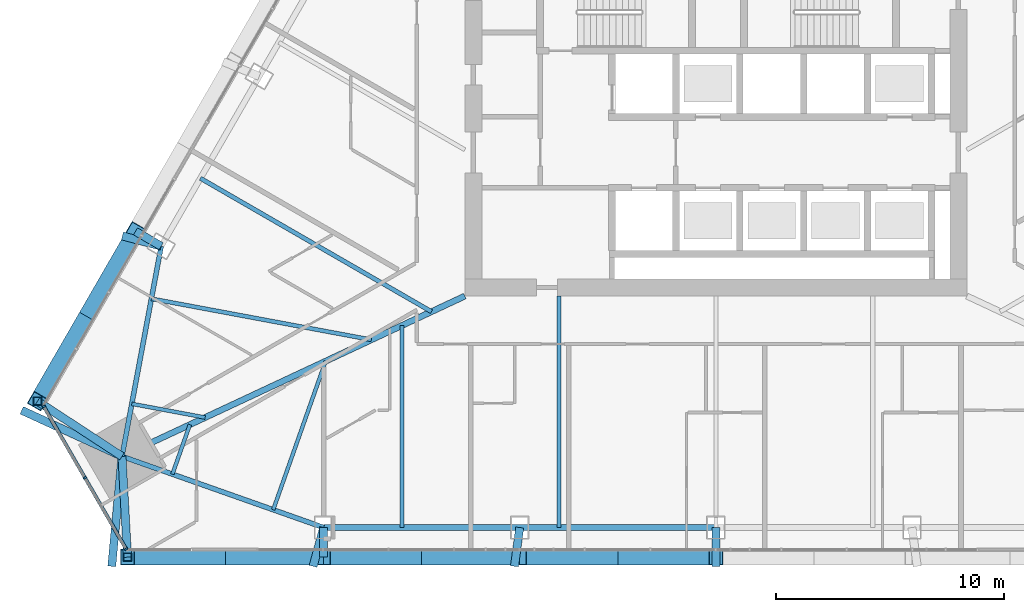
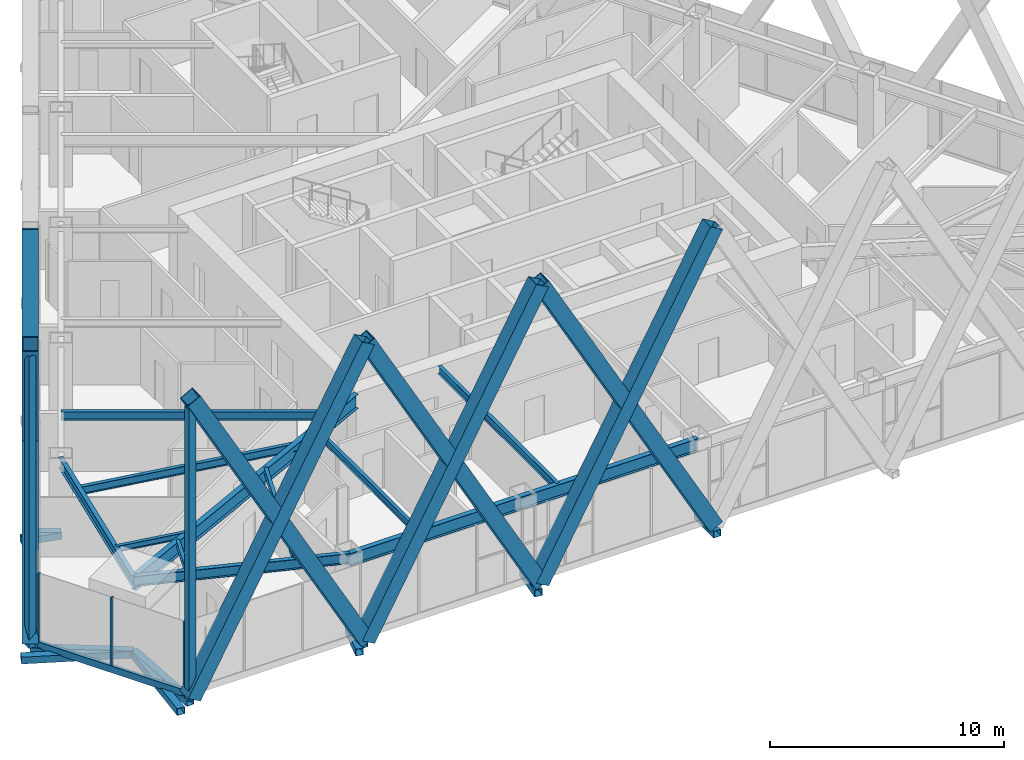
# One storey, part 2 of 23: 24 members, 11 beams, 1 element without a shape of its own.
"""IFC4 building model written with IfcOpenShell, lengths in metres."""

from ifc_helpers import new_model, si_unit, direction, frame, origin, origin_2d, place, context, subcontext, project, spatial, rectangle, hollow_rectangle, i_section, extrude, material, layer, layer_set, material_profile, profile_set, type_object, element, aggregate, save


model = new_model("IFC4")

# Units and contexts
model_context = context("Model", 3, precision=1e-05, world=origin(), true_north=direction((0.0, 1.0)))
body_context = subcontext(model_context, "Body", "Model", "MODEL_VIEW")
ifc_project = project(units=[si_unit("LENGTHUNIT", "METRE"), si_unit("AREAUNIT", "SQUARE_METRE"), si_unit("VOLUMEUNIT", "CUBIC_METRE"), si_unit("PLANEANGLEUNIT", "RADIAN"), si_unit("MASSUNIT", "GRAM", prefix="KILO")], contexts=[model_context])

# Site, building, storey
site_placement = place(None, origin())
site = spatial("IfcSite", under=ifc_project, at=site_placement, CompositionType="ELEMENT")
building_placement = place(site_placement, origin())
building = spatial("IfcBuilding", under=site, at=building_placement, Name="Firuza Gate Tower and Library", CompositionType="ELEMENT")
storey_placement = place(building_placement, frame((0.0, 0.0, 202.60009765625)))
storey = spatial("IfcBuildingStorey", under=building, at=storey_placement, Name="L47", CompositionType="ELEMENT", Elevation=202.60009765625)

# Members
ifc_material_1 = material(Name="Steel S355", Category="steel")
ifc_material_profile_1 = material_profile(ifc_material_1, hollow_rectangle(XDim=0.699951171875, YDim=0.699951171875, WallThickness=0.030029296875, at=origin_2d()))
ifc_profile_set_1 = profile_set([ifc_material_profile_1], Name="Steel S355")
member_type_1 = type_object("IfcMemberType", Name="BU700x700x30 Lattice brace", PredefinedType="BRACE", material=ifc_profile_set_1)
for number, where, z_axis, x_axis, name in (
    (1, (49.21875, 55.558349609375, 0.0), (0.482514835768, 0.0, 0.875887797189), (0.0, 1.0, 0.0), "Lattice brace S 11.1R"),
    (2, (57.8125, 55.558349609375, 0.0), (-0.482514835768, 0.0, 0.875887797189), (0.0, -1.0, 0.0), "Lattice brace S 11.1L"),
    (3, (57.8125, 55.558349609375, 0.0), (0.482514835768, 0.0, 0.875887797189), (0.0, 1.0, 0.0), "Lattice brace S 11.2R"),
    (4, (66.40625, 55.558349609375, 0.0), (-0.482514835768, 0.0, 0.875887797189), (0.0, -1.0, 0.0), "Lattice brace S 11.2L"),
    (5, (66.40625, 55.558349609375, 0.0), (0.482514835768, 0.0, 0.875887797189), (0.0, 1.0, 0.0), "Lattice brace S 11.3R"),
    (6, (75.0, 55.558349609375, 0.0), (-0.482514835768, 0.0, 0.875887797189), (0.0, -1.0, 0.0), "Lattice brace S 11.3L"),
):
    element("IfcMember", number, at=place(storey_placement, frame(where, z_axis=z_axis, x_axis=x_axis)), inside=storey, type_object=member_type_1, Name=name, PredefinedType="BRACE", context=body_context, shape_type="SweptSolid", body=[
        extrude(hollow_rectangle(XDim=0.699951171875, YDim=0.699951171875, WallThickness=0.030029296875, at=origin_2d()), origin(), (0.0, 0.0, 1.0), 17.810302734375),
    ])
for number, where, z_axis, x_axis, name in (
    (7, (49.5693359375, 69.836181640625, 0.0), (-0.24125616613, -0.417880353663, 0.875883252681), (0.866031836714, -0.499988857673, 0.0), "Lattice brace W 11.6R"),
    (8, (45.2724609375, 62.3935546875, 0.0), (0.24125616613, 0.417880353663, 0.875883252681), (-0.866031836714, 0.499988857673, 0.0), "Lattice brace W 11.6L"),
):
    element("IfcMember", number, at=place(storey_placement, frame(where, z_axis=z_axis, x_axis=x_axis)), inside=storey, type_object=member_type_1, Name=name, PredefinedType="BRACE", context=body_context, shape_type="SweptSolid", body=[
        extrude(hollow_rectangle(XDim=0.699951171875, YDim=0.699951171875, WallThickness=0.030029296875, at=origin_2d()), origin(), (0.0, 0.0, 1.0), 17.810546875),
    ])

# Curtain wall, members
ifc_material_2 = material(Name="Aluminium 6063-T6", Category="aluminium")
ifc_layer = layer(ifc_material_2, 0.14990234375)
ifc_layer_set = layer_set([ifc_layer], Name="Corner curtain wall, chamfers")
curtain_wall_type = type_object("IfcCurtainWallType", Name="Corner curtain wall, chamfers", PredefinedType="NOTDEFINED", material=ifc_layer_set)
curtain_wall_placement = place(storey_placement, origin())
curtain_wall = element("IfcCurtainWall", 9, at=curtain_wall_placement, inside=storey, type_object=curtain_wall_type, Name="CW4 L47 SW corner", PredefinedType="NOTDEFINED")
ifc_material_3 = material(Name="Aluminium 6063-T6", Category="aluminium")
ifc_material_profile_2 = material_profile(ifc_material_3, rectangle(XDim=0.14990234375, YDim=0.080078125, at=origin_2d()))
ifc_profile_set_2 = profile_set([ifc_material_profile_2], Name="Aluminium 6063-T6")
member_type_2 = type_object("IfcMemberType", Name="Curtain wall mullion 80x150", PredefinedType="MULLION", material=ifc_profile_set_2)
member_1_placement = place(storey_placement, frame((45.55224609375, 62.158935546875, 0.14990234375), z_axis=(0.0, 0.0, 1.0), x_axis=(0.866025403784, 0.5, 0.0)))
member_1 = element("IfcMember", 10, at=member_1_placement, type_object=member_type_2, Name="Mullion", PredefinedType="MULLION", context=body_context, shape_type="SweptSolid", body=[
    extrude(rectangle(XDim=0.14990234375, YDim=0.080078125, at=origin_2d()), origin(), (0.0, 0.0, 1.0), 3.550048828125),
])
member_2_placement = place(storey_placement, frame((47.353759765625, 59.03857421875, 0.14990234375), z_axis=(0.0, 0.0, 1.0), x_axis=(0.866025403784, 0.5, 0.0)))
member_2 = element("IfcMember", 11, at=member_2_placement, type_object=member_type_2, Name="Mullion", PredefinedType="MULLION", context=body_context, shape_type="SweptSolid", body=[
    extrude(rectangle(XDim=0.14990234375, YDim=0.080078125, at=origin_2d()), origin(), (0.0, 0.0, 1.0), 3.550048828125),
])
member_3_placement = place(storey_placement, frame((49.155517578125, 55.91796875, 0.14990234375), z_axis=(0.0, 0.0, 1.0), x_axis=(0.866025403784, 0.5, 0.0)))
member_3 = element("IfcMember", 12, at=member_3_placement, type_object=member_type_2, Name="Mullion", PredefinedType="MULLION", context=body_context, shape_type="SweptSolid", body=[
    extrude(rectangle(XDim=0.14990234375, YDim=0.080078125, at=origin_2d()), origin(), (0.0, 0.0, 1.0), 3.550048828125),
])
ifc_material_4 = material(Name="Aluminium 6063-T6", Category="aluminium")
ifc_material_profile_3 = material_profile(ifc_material_4, rectangle(XDim=0.14990234375, YDim=0.35009765625, at=origin_2d()))
ifc_profile_set_3 = profile_set([ifc_material_profile_3], Name="Aluminium 6063-T6")
member_type_3 = type_object("IfcMemberType", Name="Curtain wall transom 350x150", PredefinedType="USERDEFINED", material=ifc_profile_set_3)
member_4_placement = place(storey_placement, frame((45.5322265625, 62.193603515625, -0.025146484375), z_axis=(0.500005719219, -0.866022101766, 0.0), x_axis=(0.866022101766, 0.500005719219, 0.0)))
member_4 = element("IfcMember", 13, at=member_4_placement, type_object=member_type_3, Name="Transom", ObjectType="TRANSOM", PredefinedType="USERDEFINED", context=body_context, shape_type="SweptSolid", body=[
    extrude(rectangle(XDim=0.14990234375, YDim=0.35009765625, at=origin_2d()), origin(), (0.0, 0.0, 1.0), 7.28662109375),
])
aggregate(curtain_wall, [member_1, member_2, member_3, member_4])

# Members
ifc_material_5 = material(Name="Steel S355", Category="steel")
ifc_material_profile_4 = material_profile(ifc_material_5, hollow_rectangle(XDim=0.355712890625, YDim=0.355712890625, WallThickness=0.014892578125, at=origin_2d()))
ifc_profile_set_4 = profile_set([ifc_material_profile_4], Name="Steel S355")
member_type_4 = type_object("IfcMemberType", Name="HSS356x356x16 Lattice corner stile", PredefinedType="BRACE", material=ifc_profile_set_4)
for number, where, z_axis, x_axis, name in (
    (14, (49.21875, 55.558349609375, -0.14013671875), (0.0, 0.0, 1.0), (1.0, 0.0, 0.0), "Lattice corner stile S 11.A"),
    (15, (45.2724609375, 62.3935546875, -0.14013671875), (0.0, 0.0, 1.0), (1.0, 0.0, 0.0), "Lattice corner stile W 11.B"),
):
    element("IfcMember", number, at=place(storey_placement, frame(where, z_axis=z_axis, x_axis=x_axis)), inside=storey, type_object=member_type_4, Name=name, PredefinedType="BRACE", context=body_context, shape_type="SweptSolid", body=[
        extrude(hollow_rectangle(XDim=0.355712890625, YDim=0.355712890625, WallThickness=0.014892578125, at=origin_2d()), origin(), (0.0, 0.0, 1.0), 15.239990234375),
    ])
ifc_material_6 = material(Name="Steel S355", Category="steel")
ifc_material_profile_5 = material_profile(ifc_material_6, hollow_rectangle(XDim=0.355712890625, YDim=0.355712890625, WallThickness=0.014892578125, at=origin_2d()))
ifc_profile_set_5 = profile_set([ifc_material_profile_5], Name="Steel S355")
member_type_5 = type_object("IfcMemberType", Name="HSS356x356x16 Lattice node tie", PredefinedType="BRACE", material=ifc_profile_set_5)
member_5_placement = place(storey_placement, frame((48.9775390625, 59.97607421875, -0.320068359375), z_axis=(-0.092865407282, -0.995678671124, 0.0), x_axis=(0.995678671124, -0.092865407282, 0.0)))
element("IfcMember", 16, at=member_5_placement, inside=storey, type_object=member_type_5, Name="Lattice node tie S L47 240", PredefinedType="BRACE", context=body_context, shape_type="SweptSolid", body=[
    extrude(hollow_rectangle(XDim=0.355712890625, YDim=0.355712890625, WallThickness=0.014892578125, at=origin_2d()), origin(), (0.0, 0.0, 1.0), 4.83740234375),
])
member_6_placement = place(storey_placement, frame((48.9775390625, 59.97607421875, -0.320068359375), z_axis=(0.054519511079, -0.998512705433, 0.0), x_axis=(0.998512705433, 0.054519511079, 0.0)))
element("IfcMember", 17, at=member_6_placement, inside=storey, type_object=member_type_5, Name="Lattice node tie S L47 241", PredefinedType="BRACE", context=body_context, shape_type="SweptSolid", body=[
    extrude(hollow_rectangle(XDim=0.355712890625, YDim=0.355712890625, WallThickness=0.014892578125, at=origin_2d()), origin(), (0.0, 0.0, 1.0), 4.42431640625),
])
member_7_placement = place(storey_placement, frame((57.8125, 56.8583984375, -0.320068359375), z_axis=(-0.261485479659, -0.965207409797, 0.0), x_axis=(0.965207409797, -0.261485479659, 0.0)))
element("IfcMember", 18, at=member_7_placement, inside=storey, type_object=member_type_5, Name="Lattice node tie S L47 242", PredefinedType="BRACE", context=body_context, shape_type="SweptSolid", body=[
    extrude(hollow_rectangle(XDim=0.355712890625, YDim=0.355712890625, WallThickness=0.014892578125, at=origin_2d()), origin(), (0.0, 0.0, 1.0), 1.760009765625),
])
member_8_placement = place(storey_placement, frame((57.8125, 56.8583984375, -0.320068359375), z_axis=(0.0, -1.0, 0.0), x_axis=(1.0, 0.0, 0.0)))
element("IfcMember", 19, at=member_8_placement, inside=storey, type_object=member_type_5, Name="Lattice node tie S L47 243", PredefinedType="BRACE", context=body_context, shape_type="SweptSolid", body=[
    extrude(hollow_rectangle(XDim=0.355712890625, YDim=0.355712890625, WallThickness=0.014892578125, at=origin_2d()), origin(), (0.0, 0.0, 1.0), 1.300048828125),
])
member_9_placement = place(storey_placement, frame((66.40625, 56.8583984375, -0.320068359375), z_axis=(-0.134299675223, -0.990940763737, 0.0), x_axis=(0.990940763737, -0.134299675223, 0.0)))
element("IfcMember", 20, at=member_9_placement, inside=storey, type_object=member_type_5, Name="Lattice node tie S L47 244", PredefinedType="BRACE", context=body_context, shape_type="SweptSolid", body=[
    extrude(hollow_rectangle(XDim=0.355712890625, YDim=0.355712890625, WallThickness=0.014892578125, at=origin_2d()), origin(), (0.0, 0.0, 1.0), 1.71435546875),
])
member_10_placement = place(storey_placement, frame((75.0, 56.8583984375, -0.320068359375), z_axis=(0.0, -1.0, 0.0), x_axis=(1.0, 0.0, 0.0)))
element("IfcMember", 21, at=member_10_placement, inside=storey, type_object=member_type_5, Name="Lattice node tie S L47 245", PredefinedType="BRACE", context=body_context, shape_type="SweptSolid", body=[
    extrude(hollow_rectangle(XDim=0.355712890625, YDim=0.355712890625, WallThickness=0.014892578125, at=origin_2d()), origin(), (0.0, 0.0, 1.0), 1.69873046875),
])
member_11_placement = place(storey_placement, frame((48.9775390625, 59.97607421875, -0.320068359375), z_axis=(-0.908717205998, 0.417412313575, 0.0), x_axis=(-0.417412313575, -0.908717205998, 0.0)))
element("IfcMember", 22, at=member_11_placement, inside=storey, type_object=member_type_5, Name="Lattice node tie W L47 251", PredefinedType="BRACE", context=body_context, shape_type="SweptSolid", body=[
    extrude(hollow_rectangle(XDim=0.355712890625, YDim=0.355712890625, WallThickness=0.014892578125, at=origin_2d()), origin(), (0.0, 0.0, 1.0), 4.837158203125),
])
member_12_placement = place(storey_placement, frame((48.9775390625, 59.97607421875, -0.320068359375), z_axis=(-0.837494205357, 0.546446205947, 0.0), x_axis=(-0.546446205947, -0.837494205357, 0.0)))
element("IfcMember", 23, at=member_12_placement, inside=storey, type_object=member_type_5, Name="Lattice node tie W L47 252", PredefinedType="BRACE", context=body_context, shape_type="SweptSolid", body=[
    extrude(hollow_rectangle(XDim=0.355712890625, YDim=0.355712890625, WallThickness=0.014892578125, at=origin_2d()), origin(), (0.0, 0.0, 1.0), 4.424072265625),
])
member_13_placement = place(storey_placement, frame((50.695068359375, 69.18603515625, -0.320068359375), z_axis=(-0.96665272213, 0.256090833102, 0.0), x_axis=(-0.256090833102, -0.96665272213, 0.0)))
element("IfcMember", 24, at=member_13_placement, inside=storey, type_object=member_type_5, Name="Lattice node tie W L47 253", PredefinedType="BRACE", context=body_context, shape_type="SweptSolid", body=[
    extrude(hollow_rectangle(XDim=0.355712890625, YDim=0.355712890625, WallThickness=0.014892578125, at=origin_2d()), origin(), (0.0, 0.0, 1.0), 1.759765625),
])
member_14_placement = place(storey_placement, frame((50.695068359375, 69.18603515625, -0.320068359375), z_axis=(-0.86595725628, 0.500118016368, 0.0), x_axis=(-0.500118016368, -0.86595725628, 0.0)))
element("IfcMember", 25, at=member_14_placement, inside=storey, type_object=member_type_5, Name="Lattice node tie W L47 254", PredefinedType="BRACE", context=body_context, shape_type="SweptSolid", body=[
    extrude(hollow_rectangle(XDim=0.355712890625, YDim=0.355712890625, WallThickness=0.014892578125, at=origin_2d()), origin(), (0.0, 0.0, 1.0), 1.300048828125),
])

# Beams
ifc_material_7 = material(Name="Steel S355", Category="steel")
ifc_material_profile_6 = material_profile(ifc_material_7, i_section(OverallWidth=0.1650390625, OverallDepth=0.31005859375, WebThickness=0.005859375, FlangeThickness=0.009765625, at=origin_2d()))
ifc_profile_set_6 = profile_set([ifc_material_profile_6], Name="Steel S355")
beam_type_1 = type_object("IfcBeamType", Name="W310x39 Floor beam", PredefinedType="JOIST", material=ifc_profile_set_6)
beam_1_placement = place(storey_placement, frame((49.406982421875, 62.278564453125, 3.544921875), z_axis=(0.98304592643, -0.183359500789, 0.0), x_axis=(0.183359500789, 0.98304592643, 0.0)))
element("IfcBeam", 26, at=beam_1_placement, inside=storey, type_object=beam_type_1, Name="Floor beam L47 s01", PredefinedType="JOIST", context=body_context, shape_type="SweptSolid", body=[
    extrude(i_section(OverallWidth=0.1650390625, OverallDepth=0.31005859375, WebThickness=0.005859375, FlangeThickness=0.009765625, at=origin_2d()), origin(), (0.0, 0.0, 1.0), 3.268798828125),
])
beam_2_placement = place(storey_placement, frame((51.186279296875, 59.196533203125, 3.544921875), z_axis=(0.332792371973, 0.943000125746, 0.0), x_axis=(-0.943000125746, 0.332792371973, 0.0)))
element("IfcBeam", 27, at=beam_2_placement, inside=storey, type_object=beam_type_1, Name="Floor beam L47 s10", PredefinedType="JOIST", context=body_context, shape_type="SweptSolid", body=[
    extrude(i_section(OverallWidth=0.1650390625, OverallDepth=0.31005859375, WebThickness=0.005859375, FlangeThickness=0.009765625, at=origin_2d()), origin(), (0.0, 0.0, 1.0), 2.30126953125),
])
beam_3_placement = place(storey_placement, frame((55.603759765625, 57.6376953125, 3.544921875), z_axis=(0.332781274882, 0.943004041925, 0.0), x_axis=(-0.943004041925, 0.332781274882, 0.0)))
element("IfcBeam", 28, at=beam_3_placement, inside=storey, type_object=beam_type_1, Name="Floor beam L47 s11", PredefinedType="JOIST", context=body_context, shape_type="SweptSolid", body=[
    extrude(i_section(OverallWidth=0.1650390625, OverallDepth=0.31005859375, WebThickness=0.005859375, FlangeThickness=0.009765625, at=origin_2d()), origin(), (0.0, 0.0, 1.0), 6.904296875),
])
ifc_material_8 = material(Name="Steel S355", Category="steel")
ifc_material_profile_7 = material_profile(ifc_material_8, i_section(OverallWidth=0.1708984375, OverallDepth=0.35498046875, WebThickness=0.007080078125, FlangeThickness=0.01171875, at=origin_2d()))
ifc_profile_set_7 = profile_set([ifc_material_profile_7], Name="Steel S355")
beam_type_2 = type_object("IfcBeamType", Name="W360x51 Floor beam", PredefinedType="JOIST", material=ifc_profile_set_7)
beam_4_placement = place(storey_placement, frame((61.25, 56.8583984375, 3.5224609375), z_axis=(0.0, 1.0, 0.0), x_axis=(-1.0, 0.0, 0.0)))
element("IfcBeam", 29, at=beam_4_placement, inside=storey, type_object=beam_type_2, Name="Floor beam L47 s20", PredefinedType="JOIST", context=body_context, shape_type="SweptSolid", body=[
    extrude(i_section(OverallWidth=0.1708984375, OverallDepth=0.35498046875, WebThickness=0.007080078125, FlangeThickness=0.01171875, at=origin_2d()), origin(), (0.0, 0.0, 1.0), 8.855712890625),
])
ifc_material_9 = material(Name="Steel S355", Category="steel")
ifc_material_profile_8 = material_profile(ifc_material_9, i_section(OverallWidth=0.177978515625, OverallDepth=0.406982421875, WebThickness=0.0078125, FlangeThickness=0.0126953125, at=origin_2d()))
ifc_profile_set_8 = profile_set([ifc_material_profile_8], Name="Steel S355")
beam_type_3 = type_object("IfcBeamType", Name="W410x60 Floor beam", PredefinedType="JOIST", material=ifc_profile_set_8)
beam_5_placement = place(storey_placement, frame((50.265625, 66.883544921875, 3.496337890625), z_axis=(0.983056573465, -0.183302409604, 0.0), x_axis=(0.183302409604, 0.983056573465, 0.0)))
element("IfcBeam", 30, at=beam_5_placement, inside=storey, type_object=beam_type_3, Name="Floor beam L47 s00", PredefinedType="JOIST", context=body_context, shape_type="SweptSolid", body=[
    extrude(i_section(OverallWidth=0.177978515625, OverallDepth=0.406982421875, WebThickness=0.0078125, FlangeThickness=0.0126953125, at=origin_2d()), origin(), (0.0, 0.0, 1.0), 9.806884765625),
])
beam_6_placement = place(storey_placement, frame((68.125, 56.8583984375, 3.496337890625), z_axis=(0.0, 1.0, 0.0), x_axis=(-1.0, 0.0, 0.0)))
element("IfcBeam", 31, at=beam_6_placement, inside=storey, type_object=beam_type_3, Name="Floor beam L47 s21", PredefinedType="JOIST", context=body_context, shape_type="SweptSolid", body=[
    extrude(i_section(OverallWidth=0.177978515625, OverallDepth=0.406982421875, WebThickness=0.0078125, FlangeThickness=0.0126953125, at=origin_2d()), origin(), (0.0, 0.0, 1.0), 10.1416015625),
])
ifc_material_10 = material(Name="Steel S355", Category="steel")
ifc_material_profile_9 = material_profile(ifc_material_10, i_section(OverallWidth=0.18994140625, OverallDepth=0.45703125, WebThickness=0.009033203125, FlangeThickness=0.014404296875, at=origin_2d()))
ifc_profile_set_9 = profile_set([ifc_material_profile_9], Name="Steel S355")
beam_type_4 = type_object("IfcBeamType", Name="W460x74 Floor beam", PredefinedType="JOIST", material=ifc_profile_set_9)
beam_7_placement = place(storey_placement, frame((52.413818359375, 72.1630859375, 3.471435546875), z_axis=(0.866025630412, -0.49999960747, 0.0), x_axis=(0.49999960747, 0.866025630412, 0.0)))
element("IfcBeam", 32, at=beam_7_placement, inside=storey, type_object=beam_type_4, Name="Floor beam L47 s84", PredefinedType="JOIST", context=body_context, shape_type="SweptSolid", body=[
    extrude(i_section(OverallWidth=0.18994140625, OverallDepth=0.45703125, WebThickness=0.009033203125, FlangeThickness=0.014404296875, at=origin_2d()), origin(), (0.0, 0.0, 1.0), 11.69189453125),
])
ifc_material_11 = material(Name="Steel S355", Category="steel")
ifc_material_profile_10 = material_profile(ifc_material_11, i_section(OverallWidth=0.212890625, OverallDepth=0.5390625, WebThickness=0.01171875, FlangeThickness=0.018798828125, at=origin_2d()))
ifc_profile_set_10 = profile_set([ifc_material_profile_10], Name="Steel S355")
beam_type_5 = type_object("IfcBeamType", Name="W530x109 Edge beam", PredefinedType="SPANDREL", material=ifc_profile_set_10)
beam_8_placement = place(storey_placement, frame((50.695068359375, 69.18603515625, 3.430419921875), z_axis=(-0.183325539485, -0.983052260347, 0.0), x_axis=(0.983052260347, -0.183325539485, 0.0)))
element("IfcBeam", 33, at=beam_8_placement, inside=storey, type_object=beam_type_5, Name="Edge beam L47 e00", PredefinedType="SPANDREL", context=body_context, shape_type="SweptSolid", body=[
    extrude(i_section(OverallWidth=0.212890625, OverallDepth=0.5390625, WebThickness=0.01171875, FlangeThickness=0.018798828125, at=origin_2d()), origin(), (0.0, 0.0, 1.0), 9.36865234375),
])
beam_9_placement = place(storey_placement, frame((48.9775390625, 59.97607421875, 3.430419921875), z_axis=(0.94300861327, -0.332768320754, 0.0), x_axis=(0.332768320754, 0.94300861327, 0.0)))
element("IfcBeam", 34, at=beam_9_placement, inside=storey, type_object=beam_type_5, Name="Edge beam L47 e10", PredefinedType="SPANDREL", context=body_context, shape_type="SweptSolid", body=[
    extrude(i_section(OverallWidth=0.212890625, OverallDepth=0.5390625, WebThickness=0.01171875, FlangeThickness=0.018798828125, at=origin_2d()), origin(), (0.0, 0.0, 1.0), 9.368896484375),
])
ifc_material_12 = material(Name="Steel S355", Category="steel")
ifc_material_profile_11 = material_profile(ifc_material_12, i_section(OverallWidth=0.2529296875, OverallDepth=0.677978515625, WebThickness=0.01171875, FlangeThickness=0.016357421875, at=origin_2d()))
ifc_profile_set_11 = profile_set([ifc_material_profile_11], Name="Steel S355")
beam_type_6 = type_object("IfcBeamType", Name="W690x125 Edge beam", PredefinedType="SPANDREL", material=ifc_profile_set_11)
beam_10_placement = place(storey_placement, frame((57.8125, 56.8583984375, 3.36083984375), z_axis=(1.0, 0.0, 0.0), x_axis=(0.0, 1.0, 0.0)))
element("IfcBeam", 35, at=beam_10_placement, inside=storey, type_object=beam_type_6, Name="Edge beam L47 e20", PredefinedType="SPANDREL", context=body_context, shape_type="SweptSolid", body=[
    extrude(i_section(OverallWidth=0.2529296875, OverallDepth=0.677978515625, WebThickness=0.01171875, FlangeThickness=0.016357421875, at=origin_2d()), origin(), (0.0, 0.0, 1.0), 17.1875),
])
ifc_material_13 = material(Name="Steel S355", Category="steel")
ifc_material_profile_12 = material_profile(ifc_material_13, i_section(OverallWidth=0.264892578125, OverallDepth=0.7529296875, WebThickness=0.01318359375, FlangeThickness=0.01708984375, at=origin_2d()))
ifc_profile_set_12 = profile_set([ifc_material_profile_12], Name="Steel S355")
beam_type_7 = type_object("IfcBeamType", Name="W760x147 Girder", PredefinedType="BEAM", material=ifc_profile_set_12)
beam_11_placement = place(storey_placement, frame((48.9775390625, 59.97607421875, 3.323486328125), z_axis=(0.905872229673, 0.423551063637, 0.0), x_axis=(-0.423551063637, 0.905872229673, 0.0)))
element("IfcBeam", 36, at=beam_11_placement, inside=storey, type_object=beam_type_7, Name="Girder L47 gSW", PredefinedType="BEAM", context=body_context, shape_type="SweptSolid", body=[
    extrude(i_section(OverallWidth=0.264892578125, OverallDepth=0.7529296875, WebThickness=0.01318359375, FlangeThickness=0.01708984375, at=origin_2d()), origin(), (0.0, 0.0, 1.0), 16.58349609375),
])

save(model, "model.ifc")
